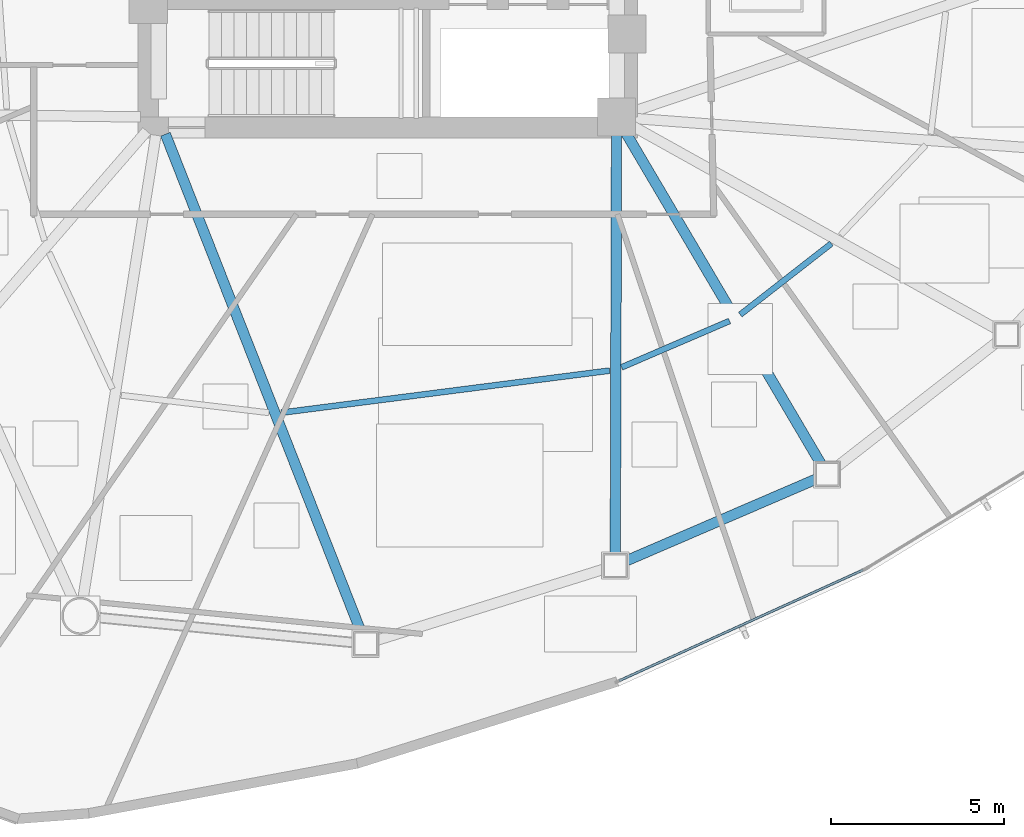
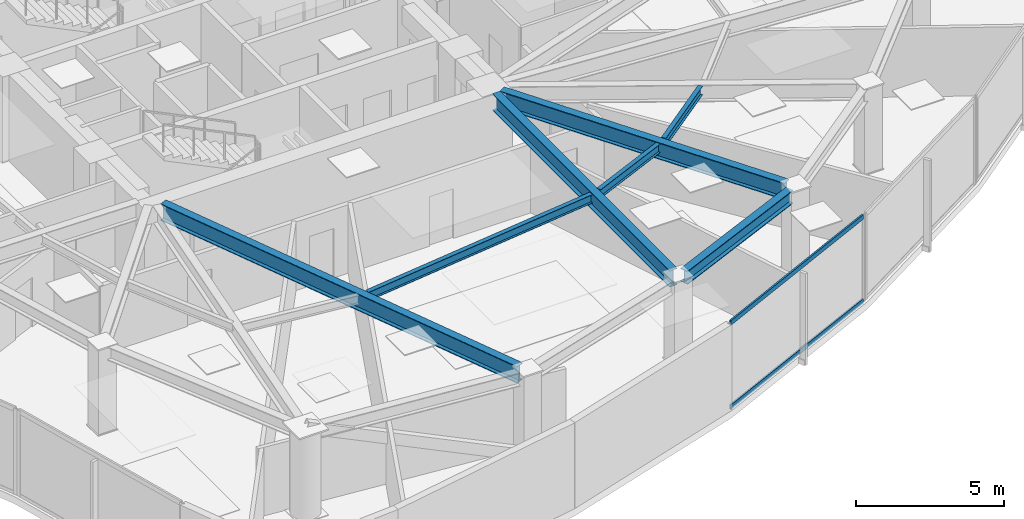
# One storey, part 3 of 17: 7 beams, 2 members, 1 element without a shape of its own.
"""IFC4 building model written with IfcOpenShell, lengths in metres."""

from ifc_helpers import new_model, si_unit, direction, frame, origin, origin_2d, place, context, subcontext, project, spatial, hollow_rectangle, i_section, extrude, source, transform, mapped, material, layer, layer_set, material_profile, profile_set, type_object, type_shapes, element, aggregate, save


model = new_model("IFC4")

# Units and contexts
model_context = context("Model", 3, precision=1e-05, world=origin(), true_north=direction((0.0, 1.0)))
body_context = subcontext(model_context, "Body", "Model", "MODEL_VIEW")
ifc_project = project(units=[si_unit("LENGTHUNIT", "METRE"), si_unit("AREAUNIT", "SQUARE_METRE"), si_unit("VOLUMEUNIT", "CUBIC_METRE"), si_unit("PLANEANGLEUNIT", "RADIAN"), si_unit("MASSUNIT", "GRAM", prefix="KILO")], contexts=[model_context])

# Site, building, storey
site_placement = place(None, origin())
site = spatial("IfcSite", under=ifc_project, at=site_placement, CompositionType="ELEMENT")
building_placement = place(site_placement, origin())
building = spatial("IfcBuilding", under=site, at=building_placement, Name="Tavelor Broadcast Tower", CompositionType="ELEMENT")
storey_placement = place(building_placement, frame((0.0, 0.0, 150.25)))
storey = spatial("IfcBuildingStorey", under=building, at=storey_placement, Name="L35", CompositionType="ELEMENT", Elevation=150.25)

# Beams
ifc_material_1 = material(Name="Steel S355", Category="steel")
ifc_material_profile_1 = material_profile(ifc_material_1, i_section(OverallWidth=0.169921875, OverallDepth=0.360107421875, WebThickness=0.008056640625, FlangeThickness=0.0126953125, at=origin_2d()), Name="IPE 360")
ifc_profile_set_1 = profile_set([ifc_material_profile_1], Name="Steel S355")
beam_type_1 = type_object("IfcBeamType", Name="Composite Floor Joist T3 IPE 360", PredefinedType="JOIST", material=ifc_profile_set_1)
beam_1_placement = place(storey_placement, frame((46.93701171875, 30.280517578125, 3.3701171875), z_axis=(0.991879926303, 0.12717787464, 0.0), x_axis=(-0.12717787464, 0.991879926303, 0.0)))
element("IfcBeam", 1, at=beam_1_placement, inside=storey, type_object=beam_type_1, Name="L35 Secondary Composite Floor Joist 08", PredefinedType="JOIST", context=body_context, shape_type="SweptSolid", body=[
    extrude(i_section(OverallWidth=0.169921875, OverallDepth=0.360107421875, WebThickness=0.008056640625, FlangeThickness=0.0126953125, at=origin_2d()), origin(), (0.0, 0.0, 1.0), 9.538818359375),
])
beam_2_placement = place(storey_placement, frame((56.744384765625, 31.588134765625, 3.3701171875), z_axis=(0.918816463589, 0.394685072225, 0.0), x_axis=(-0.394685072225, 0.918816463589, 0.0)))
element("IfcBeam", 2, at=beam_2_placement, inside=storey, type_object=beam_type_1, Name="L35 Secondary Composite Floor Joist 09", PredefinedType="JOIST", context=body_context, shape_type="SweptSolid", body=[
    extrude(i_section(OverallWidth=0.169921875, OverallDepth=0.360107421875, WebThickness=0.008056640625, FlangeThickness=0.0126953125, at=origin_2d()), origin(), (0.0, 0.0, 1.0), 3.385498046875),
])
beam_3_placement = place(storey_placement, frame((60.163818359375, 33.107177734375, 3.3701171875), z_axis=(0.788471752191, 0.615070968261, 0.0), x_axis=(-0.615070968261, 0.788471752191, 0.0)))
element("IfcBeam", 3, at=beam_3_placement, inside=storey, type_object=beam_type_1, Name="L35 Secondary Composite Floor Joist 10", PredefinedType="JOIST", context=body_context, shape_type="SweptSolid", body=[
    extrude(i_section(OverallWidth=0.169921875, OverallDepth=0.360107421875, WebThickness=0.008056640625, FlangeThickness=0.0126953125, at=origin_2d()), origin(), (0.0, 0.0, 1.0), 3.33251953125),
])
ifc_material_profile_2 = material_profile(ifc_material_1, i_section(OverallWidth=0.300048828125, OverallDepth=0.550048828125, WebThickness=0.014892578125, FlangeThickness=0.029052734375, at=origin_2d()), Name="HEB 550")
ifc_profile_set_2 = profile_set([ifc_material_profile_2], Name="Steel S355")
beam_type_2 = type_object("IfcBeamType", Name="Perimeter Spandrel Beam T3 HEB 550", PredefinedType="SPANDREL", material=ifc_profile_set_2)
beam_4_placement = place(storey_placement, frame((56.86962890625, 26.005615234375, 3.27490234375), z_axis=(0.918448679011, 0.395540167396, 0.0), x_axis=(-0.395540167396, 0.918448679011, 0.0)))
element("IfcBeam", 4, at=beam_4_placement, inside=storey, type_object=beam_type_2, Name="L35 Framed-Tube Ring Spandrel 09", PredefinedType="SPANDREL", context=body_context, shape_type="SweptSolid", body=[
    extrude(i_section(OverallWidth=0.300048828125, OverallDepth=0.550048828125, WebThickness=0.014892578125, FlangeThickness=0.029052734375, at=origin_2d()), origin(), (0.0, 0.0, 1.0), 5.978515625),
])
ifc_material_profile_3 = material_profile(ifc_material_1, i_section(OverallWidth=0.300048828125, OverallDepth=0.68994140625, WebThickness=0.014404296875, FlangeThickness=0.027099609375, at=origin_2d()), Name="HEA 700")
ifc_profile_set_3 = profile_set([ifc_material_profile_3], Name="Steel S355")
beam_type_3 = type_object("IfcBeamType", Name="Radial Floor Girder T3 HEA 700", PredefinedType="BEAM", material=ifc_profile_set_3)
beam_5_placement = place(storey_placement, frame((43.593017578125, 38.30859375, 3.205078125), z_axis=(0.365795149989, -0.930695389612, 0.0), x_axis=(0.930695389612, 0.365795149989, 0.0)))
element("IfcBeam", 5, at=beam_5_placement, inside=storey, type_object=beam_type_3, Name="L35 Radial Primary Floor Girder 08", PredefinedType="BEAM", context=body_context, shape_type="SweptSolid", body=[
    extrude(i_section(OverallWidth=0.300048828125, OverallDepth=0.68994140625, WebThickness=0.014404296875, FlangeThickness=0.027099609375, at=origin_2d()), origin(), (0.0, 0.0, 1.0), 15.447509765625),
])
beam_6_placement = place(storey_placement, frame((56.598388671875, 38.27197265625, 3.205078125), z_axis=(-0.003015509149, -0.999995453342, 0.0), x_axis=(0.999995453342, -0.003015509149, 0.0)))
element("IfcBeam", 6, at=beam_6_placement, inside=storey, type_object=beam_type_3, Name="L35 Radial Primary Floor Girder 09", PredefinedType="BEAM", context=body_context, shape_type="SweptSolid", body=[
    extrude(i_section(OverallWidth=0.300048828125, OverallDepth=0.68994140625, WebThickness=0.014404296875, FlangeThickness=0.027099609375, at=origin_2d()), origin(), (0.0, 0.0, 1.0), 12.063232421875),
])
beam_7_placement = place(storey_placement, frame((56.8681640625, 38.34521484375, 3.205078125), z_axis=(0.507774310592, -0.861490133143, 0.0), x_axis=(0.861490133143, 0.507774310592, 0.0)))
element("IfcBeam", 7, at=beam_7_placement, inside=storey, type_object=beam_type_3, Name="L35 Radial Primary Floor Girder 10", PredefinedType="BEAM", context=body_context, shape_type="SweptSolid", body=[
    extrude(i_section(OverallWidth=0.300048828125, OverallDepth=0.68994140625, WebThickness=0.014404296875, FlangeThickness=0.027099609375, at=origin_2d()), origin(), (0.0, 0.0, 1.0), 11.08837890625),
])

# Curtain wall, members
ifc_material_2 = material(Name="Architectural Anodized Aluminium", Category="aluminium")
ifc_layer = layer(ifc_material_2, 0.18994140625)
ifc_layer_set = layer_set([ifc_layer], Name="Architectural Anodized Aluminium")
curtain_wall_type = type_object("IfcCurtainWallType", Name="Tower Mid-Zone Acoustic Curtain Wall CW03", PredefinedType="NOTDEFINED", material=ifc_layer_set)
curtain_wall_placement = place(storey_placement, origin())
curtain_wall = element("IfcCurtainWall", 8, at=curtain_wall_placement, inside=storey, type_object=curtain_wall_type, Name="L35 Curtain Wall CW03 Run 365", PredefinedType="NOTDEFINED")
ifc_material_profile_4 = material_profile(ifc_material_2, hollow_rectangle(XDim=0.068115234375, YDim=0.18994140625, WallThickness=0.02197265625, at=origin_2d()), Name="RHS 68x190x22")
ifc_profile_set_4 = profile_set([ifc_material_profile_4], Name="Architectural Anodized Aluminium")
member_type = type_object("IfcMemberType", Name="CW03 Extruded Aluminium Transom 68x190", PredefinedType="USERDEFINED", material=ifc_profile_set_4)
shared_shape = source(origin(), body_context, "Body", "SweptSolid", [
    extrude(hollow_rectangle(XDim=0.068115234375, YDim=0.18994140625, WallThickness=0.02197265625, at=origin_2d()), origin(), (0.0, 0.0, 1.0), 7.71728515625),
])
type_shapes(member_type, [shared_shape])
member_1_placement = place(storey_placement, frame((56.6748046875, 22.553466796875, 0.033935546875), z_axis=(0.910500771939, 0.413507369098, 0.0), x_axis=(-0.413507369098, 0.910500771939, 0.0)))
member_1 = element("IfcMember", 9, at=member_1_placement, type_object=member_type, Name="CW03 transom 1.1", ObjectType="TRANSOM", PredefinedType="USERDEFINED", context=body_context, shape_type="MappedRepresentation", body=[
    mapped(shared_shape, transform((0.0, 0.0, 0.0), scale=1.0)),
])
member_2_placement = place(storey_placement, frame((56.6748046875, 22.553466796875, 3.51611328125), z_axis=(0.910500771939, 0.413507369098, 0.0), x_axis=(-0.413507369098, 0.910500771939, 0.0)))
member_2 = element("IfcMember", 10, at=member_2_placement, type_object=member_type, Name="CW03 transom 1.2", ObjectType="TRANSOM", PredefinedType="USERDEFINED", context=body_context, shape_type="MappedRepresentation", body=[
    mapped(shared_shape, transform((0.0, 0.0, 0.0), scale=1.0)),
])
aggregate(curtain_wall, [member_1, member_2])

save(model, "model.ifc")
